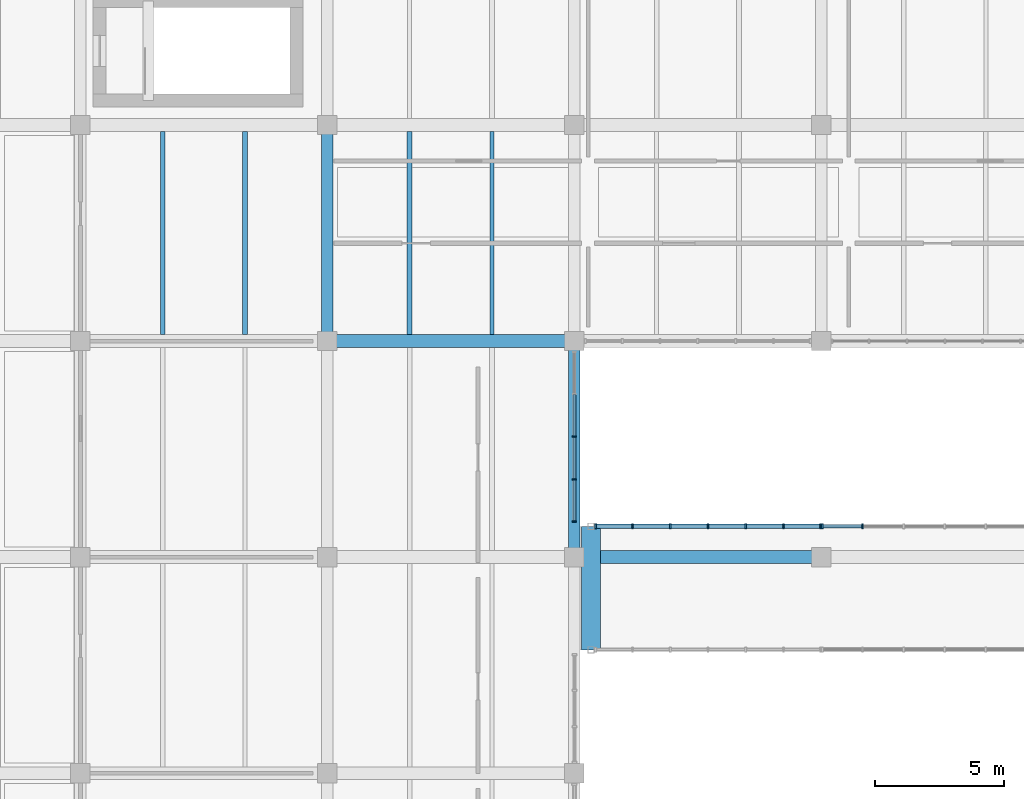
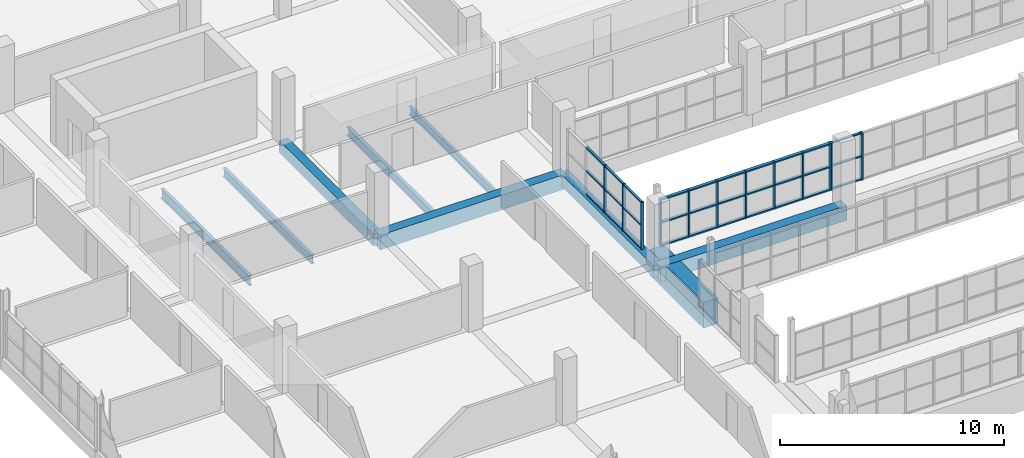
# One storey, part 60 of 147: 42 members, 9 beams, 3 elements without a shape of their own.
"""IFC4 building model written with IfcOpenShell, lengths in metres."""

import ifcopenshell
import ifcopenshell.guid

model = None  # the IFC model being written
_history = None  # IfcOwnerHistory: only IFC2X3 demands one
_inside = {}  # id of a spatial element -> (the spatial element, [elements in it])
_under = {}  # id of a project, library or spatial element -> (it, [spatial elements below it])
_declared = {}  # id of a project -> (the project, [libraries it declares])
_typed = {}  # id of a type object -> (the type object, [elements of that type])
_made_of = {}  # id of a material, layer set ... -> (it, [elements and type objects made of it])


def new_model(schema):
    """Start an empty IFC model of exactly this schema.

    Asked for "IFC4X3", IfcOpenShell would pick the latest addendum, in which some entities
    have other attributes; the version numbers below select the first issue.
    IFC2X3 requires an IfcOwnerHistory on every rooted entity: one is made here for all.
    """
    global model, _history
    if schema == "IFC4X3":
        model = ifcopenshell.file(schema_version=(4, 3, 0, 0))
    else:
        model = ifcopenshell.file(schema=schema)
    _inside.clear()
    _under.clear()
    _declared.clear()
    _typed.clear()
    _made_of.clear()
    _history = None
    if model.schema == "IFC2X3":
        org = make("IfcOrganization", Name="unknown")
        user = make(
            "IfcPersonAndOrganization",
            ThePerson=make("IfcPerson", FamilyName="unknown"),
            TheOrganization=org,
        )
        app = make(
            "IfcApplication",
            ApplicationDeveloper=org,
            Version="unknown",
            ApplicationFullName="unknown",
            ApplicationIdentifier="unknown",
        )
        _history = make(
            "IfcOwnerHistory",
            OwningUser=user,
            OwningApplication=app,
            ChangeAction="ADDED",
            CreationDate=0,
        )
    return model


def make(cls, **values):
    """One entity of the class cls with the attributes given. An attribute that is None is left unset."""
    return model.create_entity(
        cls, **{name: value for name, value in values.items() if value is not None}
    )


def rooted(cls, **values):
    """An entity with a GlobalId (a new one), such as an element, a storey or a relation."""
    return make(cls, GlobalId=ifcopenshell.guid.new(), OwnerHistory=_history, **values)


def si_unit(unit_type, name, prefix=None):
    """IfcSIUnit, for example si_unit("LENGTHUNIT", "METRE", prefix="MILLI")."""
    return make("IfcSIUnit", UnitType=unit_type, Prefix=prefix, Name=name)


def assignment(units):
    """IfcUnitAssignment: the units of a project."""
    return None if units is None else make("IfcUnitAssignment", Units=units)


def point(xyz):
    """IfcCartesianPoint."""
    return None if xyz is None else make("IfcCartesianPoint", Coordinates=xyz)


def direction(xyz):
    """IfcDirection."""
    return None if xyz is None else make("IfcDirection", DirectionRatios=xyz)


def frame(location, z_axis=None, x_axis=None):
    """IfcAxis2Placement3D, a coordinate frame: its origin and axes. An axis left out is left unset."""
    return make(
        "IfcAxis2Placement3D",
        Location=point(location),
        Axis=direction(z_axis),
        RefDirection=direction(x_axis),
    )


def frame_2d(location, x_axis=None):
    """IfcAxis2Placement2D, a coordinate frame in the plane: its origin and x axis."""
    return make(
        "IfcAxis2Placement2D", Location=point(location), RefDirection=direction(x_axis)
    )


def origin():
    """The frame at (0, 0, 0) with its axes left unset."""
    return frame((0.0, 0.0, 0.0))


def origin_2d():
    """The frame at (0, 0) in the plane with its x axis left unset."""
    return frame_2d((0.0, 0.0))


def place(relative_to, where):
    """IfcLocalPlacement: puts the frame where relative to a parent placement (None: the world)."""
    return make(
        "IfcLocalPlacement", PlacementRelTo=relative_to, RelativePlacement=where
    )


def context(
    kind, dimensions, precision=None, world=None, true_north=None, identifier=None
):
    """IfcGeometricRepresentationContext, for example the 3D "Model" context."""
    return make(
        "IfcGeometricRepresentationContext",
        ContextIdentifier=identifier,
        ContextType=kind,
        CoordinateSpaceDimension=dimensions,
        Precision=precision,
        WorldCoordinateSystem=world,
        TrueNorth=true_north,
    )


def subcontext(parent, identifier, kind, view, scale=None):
    """IfcGeometricRepresentationSubContext, for example "Body" below "Model"."""
    return make(
        "IfcGeometricRepresentationSubContext",
        ContextIdentifier=identifier,
        ContextType=kind,
        ParentContext=parent,
        TargetScale=scale,
        TargetView=view,
    )


def project(units=None, contexts=None):
    """IfcProject with its units and contexts."""
    return rooted(
        "IfcProject",
        Name="project",
        RepresentationContexts=contexts,
        UnitsInContext=assignment(units),
    )


def spatial(cls, under=None, at=None, **own):
    """A site, building, storey or space (cls), placed at a placement, below another one or the project."""
    s = rooted(cls, ObjectPlacement=at, **own)
    if under is not None:
        _under.setdefault(under.id(), (under, []))[1].append(s)
    return s


def profile(cls, at=None, kind="AREA", **sizes):
    """A parametric profile (cls). Its sizes go by their IFC names, for example OverallWidth=200.0."""
    return make(cls, ProfileType=kind, Position=at, **sizes)


def rectangle(**sizes):
    """IfcRectangleProfileDef."""
    return profile("IfcRectangleProfileDef", **sizes)


def i_section(**sizes):
    """IfcIShapeProfileDef."""
    return profile("IfcIShapeProfileDef", **sizes)


def extrude(swept, where, along, depth):
    """IfcExtrudedAreaSolid: the profile swept, set in the frame where, extruded along a direction by depth."""
    return make(
        "IfcExtrudedAreaSolid",
        SweptArea=swept,
        Position=where,
        ExtrudedDirection=direction(along),
        Depth=depth,
    )


def shape(context_of_items, identifier, shape_type, items):
    """IfcShapeRepresentation: the items that make up one representation, for example the "Body"."""
    return make(
        "IfcShapeRepresentation",
        ContextOfItems=context_of_items,
        RepresentationIdentifier=identifier,
        RepresentationType=shape_type,
        Items=items,
    )


def material(Name=None, Category=None):
    """IfcMaterial."""
    return make("IfcMaterial", Name=Name, Category=Category)


def material_profile(
    of_material, cross_section, Name=None, Category=None, Priority=None
):
    """IfcMaterialProfile: a cross section and its material."""
    return make(
        "IfcMaterialProfile",
        Name=Name,
        Material=of_material,
        Profile=cross_section,
        Priority=Priority,
        Category=Category,
    )


def profile_set(profiles, Name=None, composite=None):
    """IfcMaterialProfileSet."""
    return make(
        "IfcMaterialProfileSet",
        Name=Name,
        MaterialProfiles=profiles,
        CompositeProfile=composite,
    )


def made_of(thing, what):
    """Note that an element or type object is made of a material, layer set ...; save() writes the relation."""
    if what is not None:
        _made_of.setdefault(what.id(), (what, []))[1].append(thing)
    return thing


def type_object(cls, material=None, **own):
    """A type object (cls), such as IfcWallType, which elements share."""
    return made_of(rooted(cls, **own), material)


def element(
    cls,
    number,
    at=None,
    inside=None,
    cuts=None,
    type_object=None,
    material=None,
    context=None,
    identifier="Body",
    shape_type=None,
    held_by="IfcProductDefinitionShape",
    body=None,
    shapes=None,
    **own,
):
    """One element of the class cls, such as IfcWall. Its Tag is "e" and its number.

    at: its placement. inside: the storey or other place that contains it. cuts: it is an
    opening in that element (IfcRelVoidsElement). A single representation is given by context,
    identifier, shape_type and body (its items); several are given by shapes. held_by: the class
    of the entity that holds the representations. save() writes the other relations.
    """
    e = rooted(cls, Tag="e%d" % number, ObjectPlacement=at, **own)
    if body is not None:
        shapes = [shape(context, identifier, shape_type, body)]
    if shapes is not None:
        e.Representation = make(held_by, Representations=shapes)
    if inside is not None:
        _inside.setdefault(inside.id(), (inside, []))[1].append(e)
    if cuts is not None:
        rooted(
            "IfcRelVoidsElement", RelatingBuildingElement=cuts, RelatedOpeningElement=e
        )
    if type_object is not None:
        _typed.setdefault(type_object.id(), (type_object, []))[1].append(e)
    return made_of(e, material)


def aggregate(whole, parts):
    """IfcRelAggregates: a whole, such as a stair, and the parts it consists of."""
    return rooted("IfcRelAggregates", RelatingObject=whole, RelatedObjects=parts)


def save(model, path):
    """Write the relations noted so far, then the file.

    IfcRelAggregates (storeys below a building ...), IfcRelContainedInSpatialStructure (elements
    in a storey), IfcRelDefinesByType, IfcRelAssociatesMaterial and IfcRelDeclares: one each for
    every whole, place, type object, material and project.
    """
    for whole, parts in _under.values():
        aggregate(whole, parts)
    for where, things in _inside.values():
        rooted(
            "IfcRelContainedInSpatialStructure",
            RelatedElements=things,
            RelatingStructure=where,
        )
    for kind, things in _typed.values():
        rooted("IfcRelDefinesByType", RelatedObjects=things, RelatingType=kind)
    for what, things in _made_of.values():
        rooted("IfcRelAssociatesMaterial", RelatedObjects=things, RelatingMaterial=what)
    for by, libraries in _declared.values():
        rooted("IfcRelDeclares", RelatingContext=by, RelatedDefinitions=libraries)
    model.write(path)


model = new_model("IFC4")

# Units and contexts
model_context = context("Model", 3, precision=1e-05, world=origin(), true_north=direction((0.0, 1.0)))
body_context = subcontext(model_context, "Body", "Model", "MODEL_VIEW")
ifc_project = project(units=[si_unit("LENGTHUNIT", "METRE"), si_unit("AREAUNIT", "SQUARE_METRE"), si_unit("VOLUMEUNIT", "CUBIC_METRE"), si_unit("PLANEANGLEUNIT", "RADIAN"), si_unit("MASSUNIT", "GRAM", prefix="KILO")], contexts=[model_context])

# Site, building, storey
site_placement = place(None, origin())
site = spatial("IfcSite", under=ifc_project, at=site_placement, CompositionType="ELEMENT")
building_placement = place(site_placement, origin())
building = spatial("IfcBuilding", under=site, at=building_placement, Name="Oolite Switchyard Hospital", CompositionType="ELEMENT")
storey_placement = place(building_placement, frame((0.0, 0.0, 9.89990234375)))
storey = spatial("IfcBuildingStorey", under=building, at=storey_placement, Name="L02", CompositionType="ELEMENT", Elevation=9.89990234375)

# Beams
ifc_material_1 = material(Name="Concrete C40/50", Category="concrete")
ifc_material_profile_1 = material_profile(ifc_material_1, rectangle(XDim=0.449951171875, YDim=0.64990234375, at=origin_2d()), Name="RCB450X650")
ifc_profile_set_1 = profile_set([ifc_material_profile_1], Name="Concrete C40/50")
beam_type_1 = type_object("IfcBeamType", Name="BM-RC450X650", PredefinedType="BEAM", material=ifc_profile_set_1)
beam_1_placement = place(storey_placement, frame((134.39990234375, 58.800048828125, -0.324951171875), z_axis=(0.0, 1.0, 0.0), x_axis=(-1.0, 0.0, 0.0)))
element("IfcBeam", 1, at=beam_1_placement, inside=storey, type_object=beam_type_1, Name="L02 Y-Girder 1405", PredefinedType="BEAM", context=body_context, shape_type="SweptSolid", body=[
    extrude(rectangle(XDim=0.449951171875, YDim=0.64990234375, at=origin_2d()), origin(), (0.0, 0.0, 1.0), 8.39990234375),
])
beam_2_placement = place(storey_placement, frame((144.0, 50.39990234375, -0.324951171875), z_axis=(0.0, 1.0, 0.0), x_axis=(-1.0, 0.0, 0.0)))
element("IfcBeam", 2, at=beam_2_placement, inside=storey, type_object=beam_type_1, Name="L02 Y-Girder 1419", PredefinedType="BEAM", context=body_context, shape_type="SweptSolid", body=[
    extrude(rectangle(XDim=0.449951171875, YDim=0.64990234375, at=origin_2d()), origin(), (0.0, 0.0, 1.0), 8.400146484375),
])
ifc_material_profile_2 = material_profile(ifc_material_1, rectangle(XDim=0.5, YDim=0.800048828125, at=origin_2d()), Name="RCB500X800")
ifc_profile_set_2 = profile_set([ifc_material_profile_2], Name="Concrete C40/50")
beam_type_2 = type_object("IfcBeamType", Name="BM-RC500X800", PredefinedType="BEAM", material=ifc_profile_set_2)
for number, where, z_axis, x_axis, name in (
    (3, (144.0, 50.39990234375, -0.39990234375), (1.0, 0.0, 0.0), (0.0, 1.0, 0.0), "L02 X-Girder 1071"),
    (4, (134.39990234375, 58.800048828125, -0.39990234375), (1.0, 0.0, 0.0), (0.0, 1.0, 0.0), "L02 X-Girder 1086"),
):
    element("IfcBeam", number, at=place(storey_placement, frame(where, z_axis=z_axis, x_axis=x_axis)), inside=storey, type_object=beam_type_2, Name=name, PredefinedType="BEAM", context=body_context, shape_type="SweptSolid", body=[
        extrude(rectangle(XDim=0.5, YDim=0.800048828125, at=origin_2d()), origin(), (0.0, 0.0, 1.0), 9.60009765625),
    ])
ifc_material_profile_3 = material_profile(ifc_material_1, rectangle(XDim=0.75, YDim=1.39990234375, at=origin_2d()), Name="RCT750X1400")
ifc_profile_set_3 = profile_set([ifc_material_profile_3], Name="Concrete C40/50")
beam_type_3 = type_object("IfcBeamType", Name="BM-TR750X1400", PredefinedType="BEAM", material=ifc_profile_set_3)
beam_3_placement = place(storey_placement, frame((144.64990234375, 46.800048828125, -0.699951171875), z_axis=(0.0, 1.0, 0.0), x_axis=(-1.0, 0.0, 0.0)))
element("IfcBeam", 5, at=beam_3_placement, inside=storey, type_object=beam_type_3, Name="L02 Y-Girder 1430", PredefinedType="BEAM", context=body_context, shape_type="SweptSolid", body=[
    extrude(rectangle(XDim=0.75, YDim=1.39990234375, at=origin_2d()), origin(), (0.0, 0.0, 1.0), 4.800048828125),
])
ifc_material_2 = material(Name="Steel ASTM A992 Grade 50", Category="steel")
ifc_material_profile_4 = material_profile(ifc_material_2, i_section(OverallWidth=0.153076171875, OverallDepth=0.455078125, WebThickness=0.008056640625, FlangeThickness=0.012939453125, at=origin_2d()), Name="W18X40")
ifc_profile_set_4 = profile_set([ifc_material_profile_4], Name="Steel ASTM A992 Grade 50")
beam_type_4 = type_object("IfcBeamType", Name="BM-W18X40", PredefinedType="JOIST", material=ifc_profile_set_4)
beam_4_placement = place(storey_placement, frame((140.800048828125, 59.050048828125, -0.48681640625), z_axis=(0.0, 1.0, 0.0), x_axis=(-1.0, 0.0, 0.0)))
element("IfcBeam", 6, at=beam_4_placement, inside=storey, type_object=beam_type_4, Name="L02 Secondary Steel Joist 1775", PredefinedType="JOIST", context=body_context, shape_type="SweptSolid", body=[
    extrude(i_section(OverallWidth=0.153076171875, OverallDepth=0.455078125, WebThickness=0.008056640625, FlangeThickness=0.012939453125, at=origin_2d()), origin(), (0.0, 0.0, 1.0), 7.89990234375),
])
ifc_material_profile_5 = material_profile(ifc_material_2, i_section(OverallWidth=0.19091796875, OverallDepth=0.4599609375, WebThickness=0.010009765625, FlangeThickness=0.01611328125, at=origin_2d()), Name="W18X55")
ifc_profile_set_5 = profile_set([ifc_material_profile_5], Name="Steel ASTM A992 Grade 50")
beam_type_5 = type_object("IfcBeamType", Name="BM-W18X55", PredefinedType="JOIST", material=ifc_profile_set_5)
for number, where, z_axis, x_axis, name in (
    (7, (131.199951171875, 59.050048828125, -0.489990234375), (0.0, 1.0, 0.0), (-1.0, 0.0, 0.0), "L02 Secondary Steel Joist 1755"),
    (8, (137.60009765625, 59.050048828125, -0.489990234375), (0.0, 1.0, 0.0), (-1.0, 0.0, 0.0), "L02 Secondary Steel Joist 1774"),
):
    element("IfcBeam", number, at=place(storey_placement, frame(where, z_axis=z_axis, x_axis=x_axis)), inside=storey, type_object=beam_type_5, Name=name, PredefinedType="JOIST", context=body_context, shape_type="SweptSolid", body=[
        extrude(i_section(OverallWidth=0.19091796875, OverallDepth=0.4599609375, WebThickness=0.010009765625, FlangeThickness=0.01611328125, at=origin_2d()), origin(), (0.0, 0.0, 1.0), 7.89990234375),
    ])
ifc_material_profile_6 = material_profile(ifc_material_2, i_section(OverallWidth=0.166015625, OverallDepth=0.529052734375, WebThickness=0.010009765625, FlangeThickness=0.013916015625, at=origin_2d()), Name="W21X50")
ifc_profile_set_6 = profile_set([ifc_material_profile_6], Name="Steel ASTM A992 Grade 50")
beam_type_6 = type_object("IfcBeamType", Name="BM-W21X50", PredefinedType="JOIST", material=ifc_profile_set_6)
beam_5_placement = place(storey_placement, frame((128.0, 59.050048828125, -0.52392578125), z_axis=(0.0, 1.0, 0.0), x_axis=(-1.0, 0.0, 0.0)))
element("IfcBeam", 9, at=beam_5_placement, inside=storey, type_object=beam_type_6, Name="L02 Secondary Steel Joist 1754", PredefinedType="JOIST", context=body_context, shape_type="SweptSolid", body=[
    extrude(i_section(OverallWidth=0.166015625, OverallDepth=0.529052734375, WebThickness=0.010009765625, FlangeThickness=0.013916015625, at=origin_2d()), origin(), (0.0, 0.0, 1.0), 7.89990234375),
])

# Curtain wall, members
ifc_material_3 = material(Name="Thermally broken aluminum frame with laminated impact glazing", Category="aluminium")
curtain_wall_type_1 = type_object("IfcCurtainWallType", Name="CW-UNIT-84X36", PredefinedType="USERDEFINED", material=ifc_material_3)
curtain_wall_1_placement = place(storey_placement, origin())
curtain_wall_1 = element("IfcCurtainWall", 10, at=curtain_wall_1_placement, inside=storey, type_object=curtain_wall_type_1, Name="L02 Unitised Curtain Wall 304", ObjectType="UNITISED", PredefinedType="USERDEFINED")
ifc_material_4 = material(Name="Aluminium 6063-T6", Category="aluminium")
ifc_material_profile_7 = material_profile(ifc_material_4, rectangle(XDim=0.159912109375, YDim=0.06005859375, at=origin_2d()), Name="CWM60X160")
ifc_profile_set_7 = profile_set([ifc_material_profile_7], Name="Aluminium 6063-T6")
member_type_1 = type_object("IfcMemberType", Name="CW-MUL-180", PredefinedType="MULLION", material=ifc_profile_set_7)
member_1_placement = place(storey_placement, frame((144.0, 55.0849609375, 0.0), z_axis=(0.0, 0.0, 1.0), x_axis=(1.0, 0.0, 0.0)))
member_1 = element("IfcMember", 11, at=member_1_placement, type_object=member_type_1, Name="CW-08 mullion 3", PredefinedType="MULLION", context=body_context, shape_type="SweptSolid", body=[
    extrude(rectangle(XDim=0.159912109375, YDim=0.06005859375, at=origin_2d()), origin(), (0.0, 0.0, 1.0), 2.570068359375),
])
member_2_placement = place(storey_placement, frame((144.0, 53.422607421875, 0.0), z_axis=(0.0, 0.0, 1.0), x_axis=(1.0, 0.0, 0.0)))
member_2 = element("IfcMember", 12, at=member_2_placement, type_object=member_type_1, Name="CW-08 mullion 4", PredefinedType="MULLION", context=body_context, shape_type="SweptSolid", body=[
    extrude(rectangle(XDim=0.159912109375, YDim=0.06005859375, at=origin_2d()), origin(), (0.0, 0.0, 1.0), 2.570068359375),
])
member_3_placement = place(storey_placement, frame((144.0, 51.7900390625, 0.0), z_axis=(0.0, 0.0, 1.0), x_axis=(1.0, 0.0, 0.0)))
member_3 = element("IfcMember", 13, at=member_3_placement, type_object=member_type_1, Name="CW-08 mullion 5", PredefinedType="MULLION", context=body_context, shape_type="SweptSolid", body=[
    extrude(rectangle(XDim=0.159912109375, YDim=0.06005859375, at=origin_2d()), origin(), (0.0, 0.0, 1.0), 2.570068359375),
])

curtain_wall_type_2 = type_object("IfcCurtainWallType", Name="CW-BRG-96X38", PredefinedType="USERDEFINED", material=ifc_material_3)
curtain_wall_2_placement = place(storey_placement, origin())
curtain_wall_2 = element("IfcCurtainWall", 14, at=curtain_wall_2_placement, inside=storey, type_object=curtain_wall_type_2, Name="L02 Unitised Curtain Wall 239", ObjectType="UNITISED", PredefinedType="USERDEFINED")
ifc_material_profile_8 = material_profile(ifc_material_4, rectangle(XDim=0.179931640625, YDim=0.070068359375, at=origin_2d()), Name="CWM70X180")
ifc_profile_set_8 = profile_set([ifc_material_profile_8], Name="Aluminium 6063-T6")
member_type_2 = type_object("IfcMemberType", Name="CW-MUL-220", PredefinedType="MULLION", material=ifc_profile_set_8)
member_4_placement = place(storey_placement, frame((144.826904296875, 51.60009765625, 0.0), z_axis=(0.0, 0.0, 1.0), x_axis=(0.0, 1.0, 0.0)))
member_4 = element("IfcMember", 15, at=member_4_placement, type_object=member_type_2, Name="CW-12 mullion 1", PredefinedType="MULLION", context=body_context, shape_type="SweptSolid", body=[
    extrude(rectangle(XDim=0.179931640625, YDim=0.070068359375, at=origin_2d()), origin(), (0.0, 0.0, 1.0), 2.570068359375),
])
member_5_placement = place(storey_placement, frame((146.260009765625, 51.60009765625, 0.0), z_axis=(0.0, 0.0, 1.0), x_axis=(0.0, 1.0, 0.0)))
member_5 = element("IfcMember", 16, at=member_5_placement, type_object=member_type_2, Name="CW-12 mullion 2", PredefinedType="MULLION", context=body_context, shape_type="SweptSolid", body=[
    extrude(rectangle(XDim=0.179931640625, YDim=0.070068359375, at=origin_2d()), origin(), (0.0, 0.0, 1.0), 2.570068359375),
])
member_6_placement = place(storey_placement, frame((147.72802734375, 51.60009765625, 0.0), z_axis=(0.0, 0.0, 1.0), x_axis=(0.0, 1.0, 0.0)))
member_6 = element("IfcMember", 17, at=member_6_placement, type_object=member_type_2, Name="CW-12 mullion 3", PredefinedType="MULLION", context=body_context, shape_type="SweptSolid", body=[
    extrude(rectangle(XDim=0.179931640625, YDim=0.070068359375, at=origin_2d()), origin(), (0.0, 0.0, 1.0), 2.570068359375),
])
member_7_placement = place(storey_placement, frame((149.196044921875, 51.60009765625, 0.0), z_axis=(0.0, 0.0, 1.0), x_axis=(0.0, 1.0, 0.0)))
member_7 = element("IfcMember", 18, at=member_7_placement, type_object=member_type_2, Name="CW-12 mullion 4", PredefinedType="MULLION", context=body_context, shape_type="SweptSolid", body=[
    extrude(rectangle(XDim=0.179931640625, YDim=0.070068359375, at=origin_2d()), origin(), (0.0, 0.0, 1.0), 2.570068359375),
])
member_8_placement = place(storey_placement, frame((150.6640625, 51.60009765625, 0.0), z_axis=(0.0, 0.0, 1.0), x_axis=(0.0, 1.0, 0.0)))
member_8 = element("IfcMember", 19, at=member_8_placement, type_object=member_type_2, Name="CW-12 mullion 5", PredefinedType="MULLION", context=body_context, shape_type="SweptSolid", body=[
    extrude(rectangle(XDim=0.179931640625, YDim=0.070068359375, at=origin_2d()), origin(), (0.0, 0.0, 1.0), 2.570068359375),
])
member_9_placement = place(storey_placement, frame((152.132080078125, 51.60009765625, 0.0), z_axis=(0.0, 0.0, 1.0), x_axis=(0.0, 1.0, 0.0)))
member_9 = element("IfcMember", 20, at=member_9_placement, type_object=member_type_2, Name="CW-12 mullion 6", PredefinedType="MULLION", context=body_context, shape_type="SweptSolid", body=[
    extrude(rectangle(XDim=0.179931640625, YDim=0.070068359375, at=origin_2d()), origin(), (0.0, 0.0, 1.0), 2.570068359375),
])
member_10_placement = place(storey_placement, frame((153.56494140625, 51.60009765625, 0.0), z_axis=(0.0, 0.0, 1.0), x_axis=(0.0, 1.0, 0.0)))
member_10 = element("IfcMember", 21, at=member_10_placement, type_object=member_type_2, Name="CW-12 mullion 7", PredefinedType="MULLION", context=body_context, shape_type="SweptSolid", body=[
    extrude(rectangle(XDim=0.179931640625, YDim=0.070068359375, at=origin_2d()), origin(), (0.0, 0.0, 1.0), 2.570068359375),
])

curtain_wall_3_placement = place(storey_placement, origin())
curtain_wall_3 = element("IfcCurtainWall", 22, at=curtain_wall_3_placement, inside=storey, type_object=curtain_wall_type_2, Name="L02 Unitised Curtain Wall 240", ObjectType="UNITISED", PredefinedType="USERDEFINED")
ifc_material_profile_9 = material_profile(ifc_material_4, rectangle(XDim=0.199951171875, YDim=0.074951171875, at=origin_2d()), Name="CWM75X200")
ifc_profile_set_9 = profile_set([ifc_material_profile_9], Name="Aluminium 6063-T6")
member_type_3 = type_object("IfcMemberType", Name="CW-MUL-260", PredefinedType="MULLION", material=ifc_profile_set_9)
member_11_placement = place(storey_placement, frame((153.637451171875, 51.60009765625, 0.0), z_axis=(0.0, 0.0, 1.0), x_axis=(0.0, 1.0, 0.0)))
member_11 = element("IfcMember", 23, at=member_11_placement, type_object=member_type_3, Name="CW-12 mullion 1", PredefinedType="MULLION", context=body_context, shape_type="SweptSolid", body=[
    extrude(rectangle(XDim=0.199951171875, YDim=0.074951171875, at=origin_2d()), origin(), (0.0, 0.0, 1.0), 2.570068359375),
])
member_12_placement = place(storey_placement, frame((155.199951171875, 51.60009765625, 0.0), z_axis=(0.0, 0.0, 1.0), x_axis=(0.0, 1.0, 0.0)))
member_12 = element("IfcMember", 24, at=member_12_placement, type_object=member_type_3, Name="CW-12 mullion 2", PredefinedType="MULLION", context=body_context, shape_type="SweptSolid", body=[
    extrude(rectangle(XDim=0.199951171875, YDim=0.074951171875, at=origin_2d()), origin(), (0.0, 0.0, 1.0), 2.570068359375),
])
ifc_material_profile_10 = material_profile(ifc_material_4, rectangle(XDim=0.1201171875, YDim=0.06005859375, at=origin_2d()), Name="CWT60X120")
ifc_profile_set_10 = profile_set([ifc_material_profile_10], Name="Aluminium 6063-T6")
member_type_4 = type_object("IfcMemberType", Name="CW-TRN-150", PredefinedType="USERDEFINED", material=ifc_profile_set_10)
member_13_placement = place(storey_placement, frame((153.675048828125, 51.60009765625, 0.030029296875), z_axis=(1.0, 0.0, 0.0), x_axis=(0.0, 1.0, 0.0)))
member_13 = element("IfcMember", 25, at=member_13_placement, type_object=member_type_4, Name="CW-12 transom 1.1", ObjectType="TRANSOM", PredefinedType="USERDEFINED", context=body_context, shape_type="SweptSolid", body=[
    extrude(rectangle(XDim=0.1201171875, YDim=0.06005859375, at=origin_2d()), origin(), (0.0, 0.0, 1.0), 1.487548828125),
])
member_14_placement = place(storey_placement, frame((153.675048828125, 51.60009765625, 1.28515625), z_axis=(1.0, 0.0, 0.0), x_axis=(0.0, 1.0, 0.0)))
member_14 = element("IfcMember", 26, at=member_14_placement, type_object=member_type_4, Name="CW-12 transom 1.2", ObjectType="TRANSOM", PredefinedType="USERDEFINED", context=body_context, shape_type="SweptSolid", body=[
    extrude(rectangle(XDim=0.1201171875, YDim=0.06005859375, at=origin_2d()), origin(), (0.0, 0.0, 1.0), 1.487548828125),
])
member_15_placement = place(storey_placement, frame((153.675048828125, 51.60009765625, 2.5400390625), z_axis=(1.0, 0.0, 0.0), x_axis=(0.0, 1.0, 0.0)))
member_15 = element("IfcMember", 27, at=member_15_placement, type_object=member_type_4, Name="CW-12 transom 1.3", ObjectType="TRANSOM", PredefinedType="USERDEFINED", context=body_context, shape_type="SweptSolid", body=[
    extrude(rectangle(XDim=0.1201171875, YDim=0.06005859375, at=origin_2d()), origin(), (0.0, 0.0, 1.0), 1.487548828125),
])
aggregate(curtain_wall_3, [member_11, member_12, member_13, member_14, member_15])

# Member
member_16_placement = place(storey_placement, frame((144.0, 56.717529296875, 0.030029296875), z_axis=(0.0, -1.0, 0.0), x_axis=(1.0, 0.0, 0.0)))
member_16 = element("IfcMember", 28, at=member_16_placement, type_object=member_type_4, Name="CW-08 transom 2.1", ObjectType="TRANSOM", PredefinedType="USERDEFINED", context=body_context, shape_type="SweptSolid", body=[
    extrude(rectangle(XDim=0.1201171875, YDim=0.06005859375, at=origin_2d()), origin(), (0.0, 0.0, 1.0), 1.6025390625),
])

member_17_placement = place(storey_placement, frame((144.0, 56.717529296875, 1.28515625), z_axis=(0.0, -1.0, 0.0), x_axis=(1.0, 0.0, 0.0)))
member_17 = element("IfcMember", 29, at=member_17_placement, type_object=member_type_4, Name="CW-08 transom 2.2", ObjectType="TRANSOM", PredefinedType="USERDEFINED", context=body_context, shape_type="SweptSolid", body=[
    extrude(rectangle(XDim=0.1201171875, YDim=0.06005859375, at=origin_2d()), origin(), (0.0, 0.0, 1.0), 1.6025390625),
])

member_18_placement = place(storey_placement, frame((144.0, 56.717529296875, 2.5400390625), z_axis=(0.0, -1.0, 0.0), x_axis=(1.0, 0.0, 0.0)))
member_18 = element("IfcMember", 30, at=member_18_placement, type_object=member_type_4, Name="CW-08 transom 2.3", ObjectType="TRANSOM", PredefinedType="USERDEFINED", context=body_context, shape_type="SweptSolid", body=[
    extrude(rectangle(XDim=0.1201171875, YDim=0.06005859375, at=origin_2d()), origin(), (0.0, 0.0, 1.0), 1.6025390625),
])

member_19_placement = place(storey_placement, frame((144.0, 55.054931640625, 0.030029296875), z_axis=(0.0, -1.0, 0.0), x_axis=(1.0, 0.0, 0.0)))
member_19 = element("IfcMember", 31, at=member_19_placement, type_object=member_type_4, Name="CW-08 transom 3.1", ObjectType="TRANSOM", PredefinedType="USERDEFINED", context=body_context, shape_type="SweptSolid", body=[
    extrude(rectangle(XDim=0.1201171875, YDim=0.06005859375, at=origin_2d()), origin(), (0.0, 0.0, 1.0), 1.6025390625),
])

member_20_placement = place(storey_placement, frame((144.0, 55.054931640625, 1.28515625), z_axis=(0.0, -1.0, 0.0), x_axis=(1.0, 0.0, 0.0)))
member_20 = element("IfcMember", 32, at=member_20_placement, type_object=member_type_4, Name="CW-08 transom 3.2", ObjectType="TRANSOM", PredefinedType="USERDEFINED", context=body_context, shape_type="SweptSolid", body=[
    extrude(rectangle(XDim=0.1201171875, YDim=0.06005859375, at=origin_2d()), origin(), (0.0, 0.0, 1.0), 1.6025390625),
])

member_21_placement = place(storey_placement, frame((144.0, 55.054931640625, 2.5400390625), z_axis=(0.0, -1.0, 0.0), x_axis=(1.0, 0.0, 0.0)))
member_21 = element("IfcMember", 33, at=member_21_placement, type_object=member_type_4, Name="CW-08 transom 3.3", ObjectType="TRANSOM", PredefinedType="USERDEFINED", context=body_context, shape_type="SweptSolid", body=[
    extrude(rectangle(XDim=0.1201171875, YDim=0.06005859375, at=origin_2d()), origin(), (0.0, 0.0, 1.0), 1.6025390625),
])

member_22_placement = place(storey_placement, frame((144.0, 53.392578125, 0.030029296875), z_axis=(0.0, -1.0, 0.0), x_axis=(1.0, 0.0, 0.0)))
member_22 = element("IfcMember", 34, at=member_22_placement, type_object=member_type_4, Name="CW-08 transom 4.1", ObjectType="TRANSOM", PredefinedType="USERDEFINED", context=body_context, shape_type="SweptSolid", body=[
    extrude(rectangle(XDim=0.1201171875, YDim=0.06005859375, at=origin_2d()), origin(), (0.0, 0.0, 1.0), 1.572509765625),
])

member_23_placement = place(storey_placement, frame((144.0, 53.392578125, 1.28515625), z_axis=(0.0, -1.0, 0.0), x_axis=(1.0, 0.0, 0.0)))
member_23 = element("IfcMember", 35, at=member_23_placement, type_object=member_type_4, Name="CW-08 transom 4.2", ObjectType="TRANSOM", PredefinedType="USERDEFINED", context=body_context, shape_type="SweptSolid", body=[
    extrude(rectangle(XDim=0.1201171875, YDim=0.06005859375, at=origin_2d()), origin(), (0.0, 0.0, 1.0), 1.572509765625),
])

member_24_placement = place(storey_placement, frame((144.0, 53.392578125, 2.5400390625), z_axis=(0.0, -1.0, 0.0), x_axis=(1.0, 0.0, 0.0)))
member_24 = element("IfcMember", 36, at=member_24_placement, type_object=member_type_4, Name="CW-08 transom 4.3", ObjectType="TRANSOM", PredefinedType="USERDEFINED", context=body_context, shape_type="SweptSolid", body=[
    extrude(rectangle(XDim=0.1201171875, YDim=0.06005859375, at=origin_2d()), origin(), (0.0, 0.0, 1.0), 1.572509765625),
])

aggregate(curtain_wall_1, [member_1, member_2, member_3, member_16, member_17, member_18, member_19, member_20, member_21, member_22, member_23, member_24])

ifc_material_profile_11 = material_profile(ifc_material_4, rectangle(XDim=0.159912109375, YDim=0.074951171875, at=origin_2d()), Name="CWT75X160")
ifc_profile_set_11 = profile_set([ifc_material_profile_11], Name="Aluminium 6063-T6")
member_type_5 = type_object("IfcMemberType", Name="CW-TRN-180", PredefinedType="USERDEFINED", material=ifc_profile_set_11)
member_25_placement = place(storey_placement, frame((144.862060546875, 51.60009765625, 0.03759765625), z_axis=(1.0, 0.0, 0.0), x_axis=(0.0, 1.0, 0.0)))
member_25 = element("IfcMember", 37, at=member_25_placement, type_object=member_type_5, Name="CW-12 transom 1.1", ObjectType="TRANSOM", PredefinedType="USERDEFINED", context=body_context, shape_type="SweptSolid", body=[
    extrude(rectangle(XDim=0.159912109375, YDim=0.074951171875, at=origin_2d()), origin(), (0.0, 0.0, 1.0), 1.363037109375),
])

member_26_placement = place(storey_placement, frame((144.862060546875, 51.60009765625, 1.28515625), z_axis=(1.0, 0.0, 0.0), x_axis=(0.0, 1.0, 0.0)))
member_26 = element("IfcMember", 38, at=member_26_placement, type_object=member_type_5, Name="CW-12 transom 1.2", ObjectType="TRANSOM", PredefinedType="USERDEFINED", context=body_context, shape_type="SweptSolid", body=[
    extrude(rectangle(XDim=0.159912109375, YDim=0.074951171875, at=origin_2d()), origin(), (0.0, 0.0, 1.0), 1.363037109375),
])

member_27_placement = place(storey_placement, frame((144.862060546875, 51.60009765625, 2.53271484375), z_axis=(1.0, 0.0, 0.0), x_axis=(0.0, 1.0, 0.0)))
member_27 = element("IfcMember", 39, at=member_27_placement, type_object=member_type_5, Name="CW-12 transom 1.3", ObjectType="TRANSOM", PredefinedType="USERDEFINED", context=body_context, shape_type="SweptSolid", body=[
    extrude(rectangle(XDim=0.159912109375, YDim=0.074951171875, at=origin_2d()), origin(), (0.0, 0.0, 1.0), 1.363037109375),
])

member_28_placement = place(storey_placement, frame((146.294921875, 51.60009765625, 0.03759765625), z_axis=(1.0, 0.0, 0.0), x_axis=(0.0, 1.0, 0.0)))
member_28 = element("IfcMember", 40, at=member_28_placement, type_object=member_type_5, Name="CW-12 transom 2.1", ObjectType="TRANSOM", PredefinedType="USERDEFINED", context=body_context, shape_type="SweptSolid", body=[
    extrude(rectangle(XDim=0.159912109375, YDim=0.074951171875, at=origin_2d()), origin(), (0.0, 0.0, 1.0), 1.398193359375),
])

member_29_placement = place(storey_placement, frame((146.294921875, 51.60009765625, 1.28515625), z_axis=(1.0, 0.0, 0.0), x_axis=(0.0, 1.0, 0.0)))
member_29 = element("IfcMember", 41, at=member_29_placement, type_object=member_type_5, Name="CW-12 transom 2.2", ObjectType="TRANSOM", PredefinedType="USERDEFINED", context=body_context, shape_type="SweptSolid", body=[
    extrude(rectangle(XDim=0.159912109375, YDim=0.074951171875, at=origin_2d()), origin(), (0.0, 0.0, 1.0), 1.398193359375),
])

member_30_placement = place(storey_placement, frame((146.294921875, 51.60009765625, 2.53271484375), z_axis=(1.0, 0.0, 0.0), x_axis=(0.0, 1.0, 0.0)))
member_30 = element("IfcMember", 42, at=member_30_placement, type_object=member_type_5, Name="CW-12 transom 2.3", ObjectType="TRANSOM", PredefinedType="USERDEFINED", context=body_context, shape_type="SweptSolid", body=[
    extrude(rectangle(XDim=0.159912109375, YDim=0.074951171875, at=origin_2d()), origin(), (0.0, 0.0, 1.0), 1.398193359375),
])

member_31_placement = place(storey_placement, frame((147.762939453125, 51.60009765625, 0.03759765625), z_axis=(1.0, 0.0, 0.0), x_axis=(0.0, 1.0, 0.0)))
member_31 = element("IfcMember", 43, at=member_31_placement, type_object=member_type_5, Name="CW-12 transom 3.1", ObjectType="TRANSOM", PredefinedType="USERDEFINED", context=body_context, shape_type="SweptSolid", body=[
    extrude(rectangle(XDim=0.159912109375, YDim=0.074951171875, at=origin_2d()), origin(), (0.0, 0.0, 1.0), 1.39794921875),
])

member_32_placement = place(storey_placement, frame((147.762939453125, 51.60009765625, 1.28515625), z_axis=(1.0, 0.0, 0.0), x_axis=(0.0, 1.0, 0.0)))
member_32 = element("IfcMember", 44, at=member_32_placement, type_object=member_type_5, Name="CW-12 transom 3.2", ObjectType="TRANSOM", PredefinedType="USERDEFINED", context=body_context, shape_type="SweptSolid", body=[
    extrude(rectangle(XDim=0.159912109375, YDim=0.074951171875, at=origin_2d()), origin(), (0.0, 0.0, 1.0), 1.39794921875),
])

member_33_placement = place(storey_placement, frame((147.762939453125, 51.60009765625, 2.53271484375), z_axis=(1.0, 0.0, 0.0), x_axis=(0.0, 1.0, 0.0)))
member_33 = element("IfcMember", 45, at=member_33_placement, type_object=member_type_5, Name="CW-12 transom 3.3", ObjectType="TRANSOM", PredefinedType="USERDEFINED", context=body_context, shape_type="SweptSolid", body=[
    extrude(rectangle(XDim=0.159912109375, YDim=0.074951171875, at=origin_2d()), origin(), (0.0, 0.0, 1.0), 1.39794921875),
])

member_34_placement = place(storey_placement, frame((149.23095703125, 51.60009765625, 0.03759765625), z_axis=(1.0, 0.0, 0.0), x_axis=(0.0, 1.0, 0.0)))
member_34 = element("IfcMember", 46, at=member_34_placement, type_object=member_type_5, Name="CW-12 transom 4.1", ObjectType="TRANSOM", PredefinedType="USERDEFINED", context=body_context, shape_type="SweptSolid", body=[
    extrude(rectangle(XDim=0.159912109375, YDim=0.074951171875, at=origin_2d()), origin(), (0.0, 0.0, 1.0), 1.39794921875),
])

member_35_placement = place(storey_placement, frame((149.23095703125, 51.60009765625, 1.28515625), z_axis=(1.0, 0.0, 0.0), x_axis=(0.0, 1.0, 0.0)))
member_35 = element("IfcMember", 47, at=member_35_placement, type_object=member_type_5, Name="CW-12 transom 4.2", ObjectType="TRANSOM", PredefinedType="USERDEFINED", context=body_context, shape_type="SweptSolid", body=[
    extrude(rectangle(XDim=0.159912109375, YDim=0.074951171875, at=origin_2d()), origin(), (0.0, 0.0, 1.0), 1.39794921875),
])

member_36_placement = place(storey_placement, frame((149.23095703125, 51.60009765625, 2.53271484375), z_axis=(1.0, 0.0, 0.0), x_axis=(0.0, 1.0, 0.0)))
member_36 = element("IfcMember", 48, at=member_36_placement, type_object=member_type_5, Name="CW-12 transom 4.3", ObjectType="TRANSOM", PredefinedType="USERDEFINED", context=body_context, shape_type="SweptSolid", body=[
    extrude(rectangle(XDim=0.159912109375, YDim=0.074951171875, at=origin_2d()), origin(), (0.0, 0.0, 1.0), 1.39794921875),
])

member_37_placement = place(storey_placement, frame((150.698974609375, 51.60009765625, 0.03759765625), z_axis=(1.0, 0.0, 0.0), x_axis=(0.0, 1.0, 0.0)))
member_37 = element("IfcMember", 49, at=member_37_placement, type_object=member_type_5, Name="CW-12 transom 5.1", ObjectType="TRANSOM", PredefinedType="USERDEFINED", context=body_context, shape_type="SweptSolid", body=[
    extrude(rectangle(XDim=0.159912109375, YDim=0.074951171875, at=origin_2d()), origin(), (0.0, 0.0, 1.0), 1.39794921875),
])

member_38_placement = place(storey_placement, frame((150.698974609375, 51.60009765625, 1.28515625), z_axis=(1.0, 0.0, 0.0), x_axis=(0.0, 1.0, 0.0)))
member_38 = element("IfcMember", 50, at=member_38_placement, type_object=member_type_5, Name="CW-12 transom 5.2", ObjectType="TRANSOM", PredefinedType="USERDEFINED", context=body_context, shape_type="SweptSolid", body=[
    extrude(rectangle(XDim=0.159912109375, YDim=0.074951171875, at=origin_2d()), origin(), (0.0, 0.0, 1.0), 1.39794921875),
])

member_39_placement = place(storey_placement, frame((150.698974609375, 51.60009765625, 2.53271484375), z_axis=(1.0, 0.0, 0.0), x_axis=(0.0, 1.0, 0.0)))
member_39 = element("IfcMember", 51, at=member_39_placement, type_object=member_type_5, Name="CW-12 transom 5.3", ObjectType="TRANSOM", PredefinedType="USERDEFINED", context=body_context, shape_type="SweptSolid", body=[
    extrude(rectangle(XDim=0.159912109375, YDim=0.074951171875, at=origin_2d()), origin(), (0.0, 0.0, 1.0), 1.39794921875),
])

member_40_placement = place(storey_placement, frame((152.1669921875, 51.60009765625, 0.03759765625), z_axis=(1.0, 0.0, 0.0), x_axis=(0.0, 1.0, 0.0)))
member_40 = element("IfcMember", 52, at=member_40_placement, type_object=member_type_5, Name="CW-12 transom 6.1", ObjectType="TRANSOM", PredefinedType="USERDEFINED", context=body_context, shape_type="SweptSolid", body=[
    extrude(rectangle(XDim=0.159912109375, YDim=0.074951171875, at=origin_2d()), origin(), (0.0, 0.0, 1.0), 1.363037109375),
])

member_41_placement = place(storey_placement, frame((152.1669921875, 51.60009765625, 1.28515625), z_axis=(1.0, 0.0, 0.0), x_axis=(0.0, 1.0, 0.0)))
member_41 = element("IfcMember", 53, at=member_41_placement, type_object=member_type_5, Name="CW-12 transom 6.2", ObjectType="TRANSOM", PredefinedType="USERDEFINED", context=body_context, shape_type="SweptSolid", body=[
    extrude(rectangle(XDim=0.159912109375, YDim=0.074951171875, at=origin_2d()), origin(), (0.0, 0.0, 1.0), 1.363037109375),
])

member_42_placement = place(storey_placement, frame((152.1669921875, 51.60009765625, 2.53271484375), z_axis=(1.0, 0.0, 0.0), x_axis=(0.0, 1.0, 0.0)))
member_42 = element("IfcMember", 54, at=member_42_placement, type_object=member_type_5, Name="CW-12 transom 6.3", ObjectType="TRANSOM", PredefinedType="USERDEFINED", context=body_context, shape_type="SweptSolid", body=[
    extrude(rectangle(XDim=0.159912109375, YDim=0.074951171875, at=origin_2d()), origin(), (0.0, 0.0, 1.0), 1.363037109375),
])

aggregate(curtain_wall_2, [member_4, member_5, member_6, member_7, member_8, member_9, member_10, member_25, member_26, member_27, member_28, member_29, member_30, member_31, member_32, member_33, member_34, member_35, member_36, member_37, member_38, member_39, member_40, member_41, member_42])

save(model, "model.ifc")
